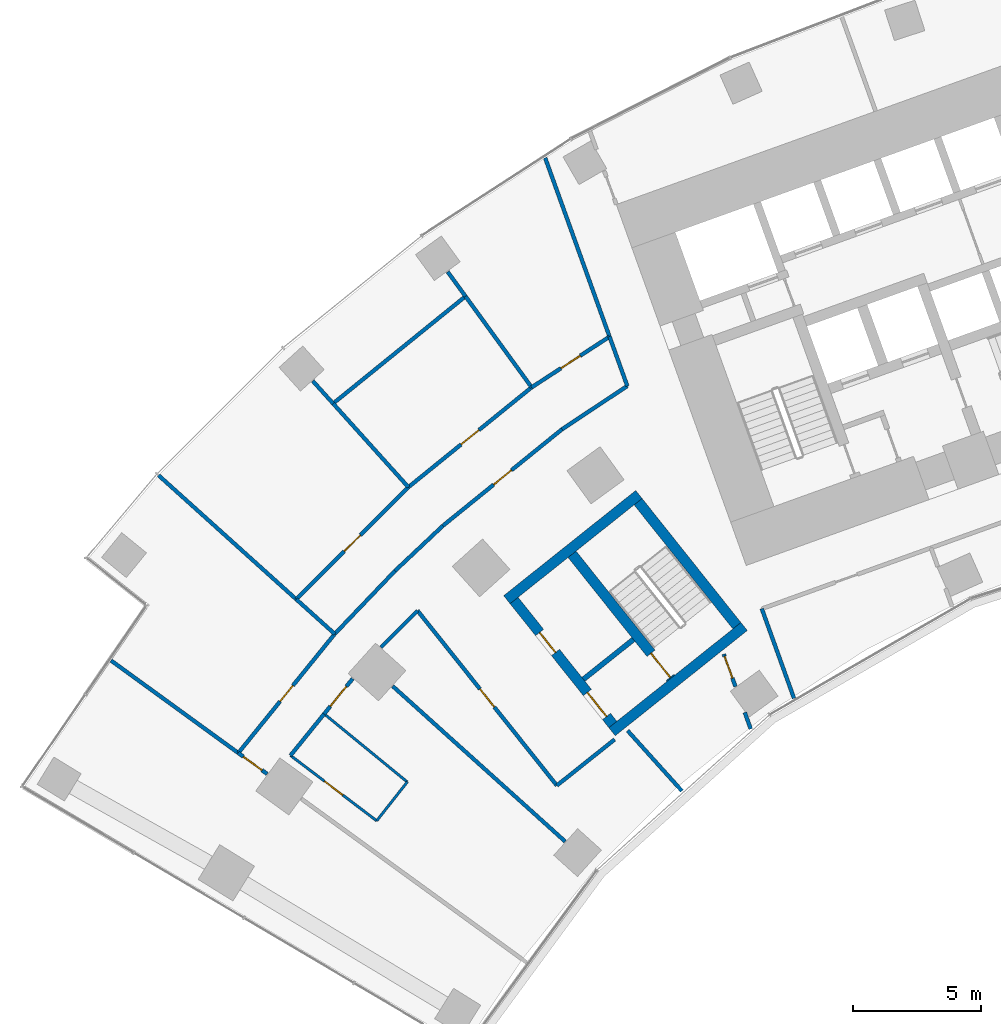
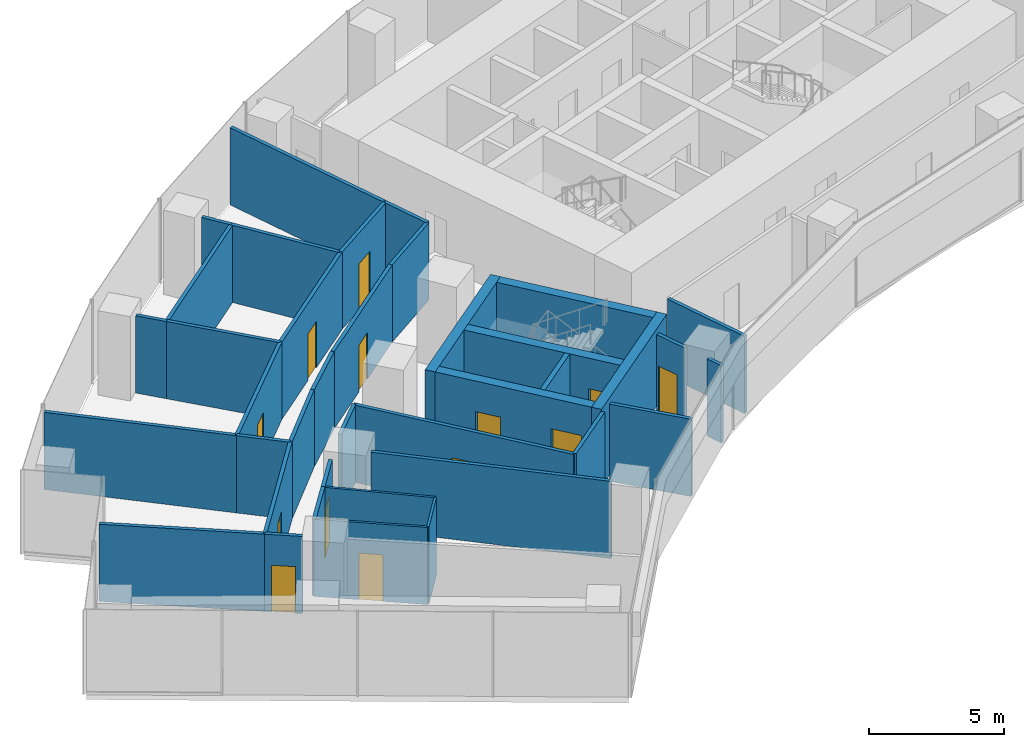
# One storey, part 14 of 21: 38 walls, 13 doors, 13 openings.
"""IFC4 building model written with IfcOpenShell, lengths in metres."""

from ifc_helpers import new_model, si_unit, direction, frame, frame_2d, origin, place, context, subcontext, project, spatial, rectangle, extrude, material, layer, layer_set, type_object, element, fill, save


model = new_model("IFC4")

# Units and contexts
model_context = context("Model", 3, precision=1e-05, world=origin(), true_north=direction((0.0, 1.0)))
body_context = subcontext(model_context, "Body", "Model", "MODEL_VIEW")
ifc_project = project(units=[si_unit("LENGTHUNIT", "METRE"), si_unit("AREAUNIT", "SQUARE_METRE"), si_unit("VOLUMEUNIT", "CUBIC_METRE"), si_unit("PLANEANGLEUNIT", "RADIAN"), si_unit("MASSUNIT", "GRAM", prefix="KILO")], contexts=[model_context])

# Site, building, storey
site_placement = place(None, origin())
site = spatial("IfcSite", under=ifc_project, at=site_placement, CompositionType="ELEMENT")
building_placement = place(site_placement, origin())
building = spatial("IfcBuilding", under=site, at=building_placement, Name="Stone Belt Terrace Tower", CompositionType="ELEMENT")
storey_placement = place(building_placement, frame((0.0, 0.0, 68.0)))
storey = spatial("IfcBuildingStorey", under=building, at=storey_placement, Name="L16", CompositionType="ELEMENT", Elevation=68.0)

# Wall, opening, door
ifc_material_1 = material(Name="Gypsum board partition")
ifc_layer_1 = layer(ifc_material_1, 0.10009765625)
ifc_layer_set_1 = layer_set([ifc_layer_1], Name="PARTITION 100")
wall_type_1 = type_object("IfcWallType", Name="PARTITION 100", PredefinedType="PARTITIONING", material=ifc_layer_set_1)
wall_1_placement = place(storey_placement, frame((-44.25390625, 33.5390625, 0.0), z_axis=(0.0, 0.0, 1.0), x_axis=(0.796975913628, -0.604011086899, 0.0)))
wall_1 = element("IfcWall", 1, at=wall_1_placement, inside=storey, type_object=wall_type_1, Name="L16/wall/i046", PredefinedType="PARTITIONING", context=body_context, shape_type="SweptSolid", body=[
    extrude(rectangle(XDim=4.228271484375, YDim=0.10009765625, at=frame_2d((2.1142578125, 0.0))), origin(), (0.0, 0.0, 1.0), 3.47998046875),
])
opening_1_placement = place(wall_1_placement, frame((1.664306640625, 0.0, 0.0)))
opening_1 = element("IfcOpeningElement", 2, at=opening_1_placement, cuts=wall_1, Name="Opening D-A5-13", PredefinedType="OPENING", context=body_context, shape_type="SweptSolid", body=[
    extrude(rectangle(XDim=0.89990234375, YDim=2.10009765625, at=frame_2d((0.449951171875, 1.050048828125))), frame((0.0, 0.06005859375, 0.0), z_axis=(0.0, -1.0, 0.0), x_axis=(1.0, 0.0, 0.0)), (0.0, 0.0, 1.0), 0.1201171875),
])
ifc_material_2 = material(Name="Timber door leaf", Category="wood")
door_type_1 = type_object("IfcDoorType", Name="OFFICE DOOR 900 X 2100", OperationType="NOTDEFINED", PredefinedType="DOOR", material=ifc_material_2)
door_1_placement = place(opening_1_placement, origin())
door_1 = element("IfcDoor", 3, at=door_1_placement, inside=storey, type_object=door_type_1, Name="L16/door/i13", OperationType="SINGLE_SWING_RIGHT", OverallHeight=2.10009765625, OverallWidth=0.89990234375, PredefinedType="DOOR", context=body_context, shape_type="SweptSolid", body=[
    extrude(rectangle(XDim=0.89990234375, YDim=2.10009765625, at=frame_2d((0.449951171875, 1.050048828125))), frame((0.0, 0.02490234375, 0.0), z_axis=(0.0, -1.0, 0.0), x_axis=(1.0, 0.0, 0.0)), (0.0, 0.0, 1.0), 0.050048828125),
])
fill(opening_1, door_1)

# Walls
wall_2_placement = place(storey_placement, frame((-40.884033203125, 30.985107421875, 0.0), z_axis=(0.0, 0.0, 1.0), x_axis=(0.618931278162, 0.785445143159, 0.0)))
element("IfcWall", 4, at=wall_2_placement, inside=storey, type_object=wall_type_1, Name="L16/wall/i047", PredefinedType="PARTITIONING", context=body_context, shape_type="SweptSolid", body=[
    extrude(rectangle(XDim=1.932373046875, YDim=0.10009765625, at=frame_2d((0.96630859375, 0.0))), origin(), (0.0, 0.0, 1.0), 3.47998046875),
])
wall_3_placement = place(storey_placement, frame((-39.68798828125, 32.5029296875, 0.0), z_axis=(0.0, 0.0, 1.0), x_axis=(-0.773605047101, 0.633668076441, 0.0)))
element("IfcWall", 5, at=wall_3_placement, inside=storey, type_object=wall_type_1, Name="L16/wall/i048", PredefinedType="PARTITIONING", context=body_context, shape_type="SweptSolid", body=[
    extrude(rectangle(XDim=4.201171875, YDim=0.10009765625, at=frame_2d((2.1005859375, 0.0))), origin(), (0.0, 0.0, 1.0), 3.47998046875),
])
ifc_layer_2 = layer(ifc_material_1, 0.14990234375)
ifc_layer_set_2 = layer_set([ifc_layer_2], Name="PARTITION 150 EI 60")
wall_type_2 = type_object("IfcWallType", Name="PARTITION 150 EI 60", PredefinedType="PARTITIONING", material=ifc_layer_set_2)
wall_4_placement = place(storey_placement, frame((-25.826904296875, 39.281005859375, 0.0), z_axis=(0.0, 0.0, 1.0), x_axis=(0.338392582605, -0.941005026574, 0.0)))
element("IfcWall", 6, at=wall_4_placement, inside=storey, type_object=wall_type_2, Name="L16/wall/i001", PredefinedType="PARTITIONING", context=body_context, shape_type="SweptSolid", body=[
    extrude(rectangle(XDim=3.729248046875, YDim=0.14990234375, at=frame_2d((1.86474609375, 0.0))), origin(), (0.0, 0.0, 1.0), 3.47998046875),
])
wall_5_placement = place(storey_placement, frame((-26.25732421875, 34.572021484375, 0.0), z_axis=(0.0, 0.0, 1.0), x_axis=(-0.338832657553, 0.940846656037, 0.0)))
element("IfcWall", 7, at=wall_5_placement, inside=storey, type_object=wall_type_2, Name="L16/wall/i004", PredefinedType="PARTITIONING", context=body_context, shape_type="SweptSolid", body=[
    extrude(rectangle(XDim=0.6875, YDim=0.14990234375, at=frame_2d((0.34375, 0.0))), origin(), (0.0, 0.0, 1.0), 3.47998046875),
])

# Wall, opening, door
wall_6_placement = place(storey_placement, frame((-26.85595703125, 36.234619140625, 0.0), z_axis=(0.0, 0.0, 1.0), x_axis=(-0.338828657155, 0.940848096714, 0.0)))
wall_6 = element("IfcWall", 8, at=wall_6_placement, inside=storey, type_object=wall_type_2, Name="L16/wall/i005", PredefinedType="PARTITIONING", context=body_context, shape_type="SweptSolid", body=[
    extrude(rectangle(XDim=1.345947265625, YDim=0.14990234375, at=frame_2d((0.6728515625, 0.0))), origin(), (0.0, 0.0, 1.0), 3.47998046875),
])
opening_2_placement = place(wall_6_placement, frame((0.3515625, 0.0, 0.0)))
opening_2 = element("IfcOpeningElement", 9, at=opening_2_placement, cuts=wall_6, Name="Opening D-A5-10", PredefinedType="OPENING", context=body_context, shape_type="SweptSolid", body=[
    extrude(rectangle(XDim=0.89990234375, YDim=2.10009765625, at=frame_2d((0.449951171875, 1.050048828125))), frame((0.0, 0.0849609375, 0.0), z_axis=(0.0, -1.0, 0.0), x_axis=(1.0, 0.0, 0.0)), (0.0, 0.0, 1.0), 0.169921875),
])
door_2_placement = place(opening_2_placement, origin())
door_2 = element("IfcDoor", 10, at=door_2_placement, inside=storey, type_object=door_type_1, Name="L16/door/i10", OperationType="SINGLE_SWING_RIGHT", OverallHeight=2.10009765625, OverallWidth=0.89990234375, PredefinedType="DOOR", context=body_context, shape_type="SweptSolid", body=[
    extrude(rectangle(XDim=0.89990234375, YDim=2.10009765625, at=frame_2d((0.449951171875, 1.050048828125))), frame((0.0, 0.02490234375, 0.0), z_axis=(0.0, -1.0, 0.0), x_axis=(1.0, 0.0, 0.0)), (0.0, 0.0, 1.0), 0.050048828125),
])
fill(opening_2, door_2)

# Walls
wall_7_placement = place(storey_placement, frame((-31.0830078125, 47.98193359375, 0.0), z_axis=(0.0, 0.0, 1.0), x_axis=(-0.338937449327, 0.940808910164, 0.0)))
element("IfcWall", 11, at=wall_7_placement, inside=storey, type_object=wall_type_2, Name="L16/wall/i006", PredefinedType="PARTITIONING", context=body_context, shape_type="SweptSolid", body=[
    extrude(rectangle(XDim=2.062255859375, YDim=0.14990234375, at=frame_2d((1.03125, 0.0))), origin(), (0.0, 0.0, 1.0), 3.47998046875),
])
wall_8_placement = place(storey_placement, frame((-31.778076171875, 49.909912109375, 0.0), z_axis=(0.0, 0.0, 1.0), x_axis=(-0.338711334353, 0.94089034004, 0.0)))
element("IfcWall", 12, at=wall_8_placement, inside=storey, type_object=wall_type_2, Name="L16/wall/i007", PredefinedType="PARTITIONING", context=body_context, shape_type="SweptSolid", body=[
    extrude(rectangle(XDim=7.43994140625, YDim=0.14990234375, at=frame_2d((3.719970703125, 0.0))), origin(), (0.0, 0.0, 1.0), 3.47998046875),
])

# Wall, opening, door
wall_9_placement = place(storey_placement, frame((-45.167236328125, 32.816162109375, 0.0), z_axis=(0.0, 0.0, 1.0), x_axis=(-0.809353623303, 0.587321643094, 0.0)))
wall_9 = element("IfcWall", 13, at=wall_9_placement, inside=storey, type_object=wall_type_2, Name="L16/wall/i031", PredefinedType="PARTITIONING", context=body_context, shape_type="SweptSolid", body=[
    extrude(rectangle(XDim=1.40087890625, YDim=0.14990234375, at=frame_2d((0.700439453125, 0.0))), origin(), (0.0, 0.0, 1.0), 3.47998046875),
])
opening_3_placement = place(wall_9_placement, frame((0.25048828125, 0.0, 0.0)))
opening_3 = element("IfcOpeningElement", 14, at=opening_3_placement, cuts=wall_9, Name="Opening D-A5-09", PredefinedType="OPENING", context=body_context, shape_type="SweptSolid", body=[
    extrude(rectangle(XDim=0.89990234375, YDim=2.10009765625, at=frame_2d((0.449951171875, 1.050048828125))), frame((0.0, 0.0849609375, 0.0), z_axis=(0.0, -1.0, 0.0), x_axis=(1.0, 0.0, 0.0)), (0.0, 0.0, 1.0), 0.169921875),
])
ifc_material_3 = material(Name="Timber fire door leaf", Category="wood")
door_type_2 = type_object("IfcDoorType", Name="TENANCY ENTRANCE DOOR 900 X 2100", OperationType="NOTDEFINED", PredefinedType="DOOR", material=ifc_material_3)
door_3_placement = place(opening_3_placement, origin())
door_3 = element("IfcDoor", 15, at=door_3_placement, inside=storey, type_object=door_type_2, Name="L16/door/i09", OperationType="SINGLE_SWING_RIGHT", OverallHeight=2.10009765625, OverallWidth=0.89990234375, PredefinedType="DOOR", context=body_context, shape_type="SweptSolid", body=[
    extrude(rectangle(XDim=0.89990234375, YDim=2.10009765625, at=frame_2d((0.449951171875, 1.050048828125))), frame((0.0, 0.02490234375, 0.0), z_axis=(0.0, -1.0, 0.0), x_axis=(1.0, 0.0, 0.0)), (0.0, 0.0, 1.0), 0.050048828125),
])
fill(opening_3, door_3)

# Walls
wall_10_placement = place(storey_placement, frame((-51.27294921875, 37.251708984375, 0.0), z_axis=(0.0, 0.0, 1.0), x_axis=(0.809013729568, -0.587789745887, 0.0)))
element("IfcWall", 16, at=wall_10_placement, inside=storey, type_object=wall_type_2, Name="L16/wall/i033", PredefinedType="PARTITIONING", context=body_context, shape_type="SweptSolid", body=[
    extrude(rectangle(XDim=6.157958984375, YDim=0.14990234375, at=frame_2d((3.0791015625, 0.0))), origin(), (0.0, 0.0, 1.0), 3.47998046875),
])
wall_11_placement = place(storey_placement, frame((-40.1640625, 40.761962890625, 0.0), z_axis=(0.0, 0.0, 1.0), x_axis=(0.727996599904, 0.685580739613, 0.0)))
element("IfcWall", 17, at=wall_11_placement, inside=storey, type_object=wall_type_2, Name="L16/wall/i034", PredefinedType="PARTITIONING", context=body_context, shape_type="SweptSolid", body=[
    extrude(rectangle(XDim=2.572998046875, YDim=0.14990234375, at=frame_2d((1.28662109375, 0.0))), origin(), (0.0, 0.0, 1.0), 3.47998046875),
])

# Wall, opening, door
wall_12_placement = place(storey_placement, frame((-38.2900390625, 42.527099609375, 0.0), z_axis=(0.0, 0.0, 1.0), x_axis=(0.77714422733, 0.629322532513, 0.0)))
wall_12 = element("IfcWall", 18, at=wall_12_placement, inside=storey, type_object=wall_type_2, Name="L16/wall/i035", PredefinedType="PARTITIONING", context=body_context, shape_type="SweptSolid", body=[
    extrude(rectangle(XDim=5.98876953125, YDim=0.14990234375, at=frame_2d((2.994384765625, 0.0))), origin(), (0.0, 0.0, 1.0), 3.47998046875),
])
opening_4_placement = place(wall_12_placement, frame((2.54443359375, 0.0, 0.0)))
opening_4 = element("IfcOpeningElement", 19, at=opening_4_placement, cuts=wall_12, Name="Opening D-A5-14", PredefinedType="OPENING", context=body_context, shape_type="SweptSolid", body=[
    extrude(rectangle(XDim=0.89990234375, YDim=2.10009765625, at=frame_2d((0.449951171875, 1.050048828125))), frame((0.0, 0.0849609375, 0.0), z_axis=(0.0, -1.0, 0.0), x_axis=(1.0, 0.0, 0.0)), (0.0, 0.0, 1.0), 0.169921875),
])
door_4_placement = place(opening_4_placement, origin())
door_4 = element("IfcDoor", 20, at=door_4_placement, inside=storey, type_object=door_type_1, Name="L16/door/i14", OperationType="SINGLE_SWING_RIGHT", OverallHeight=2.10009765625, OverallWidth=0.89990234375, PredefinedType="DOOR", context=body_context, shape_type="SweptSolid", body=[
    extrude(rectangle(XDim=0.89990234375, YDim=2.10009765625, at=frame_2d((0.449951171875, 1.050048828125))), frame((0.0, 0.02490234375, 0.0), z_axis=(0.0, -1.0, 0.0), x_axis=(1.0, 0.0, 0.0)), (0.0, 0.0, 1.0), 0.050048828125),
])
fill(opening_4, door_4)

# Walls
wall_13_placement = place(storey_placement, frame((-33.635986328125, 46.2958984375, 0.0), z_axis=(0.0, 0.0, 1.0), x_axis=(0.833385857539, 0.552691607005, 0.0)))
element("IfcWall", 21, at=wall_13_placement, inside=storey, type_object=wall_type_2, Name="L16/wall/i036", PredefinedType="PARTITIONING", context=body_context, shape_type="SweptSolid", body=[
    extrude(rectangle(XDim=3.059814453125, YDim=0.14990234375, at=frame_2d((1.52978515625, 0.0))), origin(), (0.0, 0.0, 1.0), 3.47998046875),
])
wall_14_placement = place(storey_placement, frame((-39.285888671875, 39.200927734375, 0.0), z_axis=(0.0, 0.0, 1.0), x_axis=(-0.707106781187, -0.707106781187, 0.0)))
element("IfcWall", 22, at=wall_14_placement, inside=storey, type_object=wall_type_2, Name="L16/wall/i037", PredefinedType="PARTITIONING", context=body_context, shape_type="SweptSolid", body=[
    extrude(rectangle(XDim=2.017333984375, YDim=0.14990234375, at=frame_2d((1.0087890625, 0.0))), origin(), (0.0, 0.0, 1.0), 3.47998046875),
])

# Wall, opening, door
wall_15_placement = place(storey_placement, frame((-41.82373046875, 36.541259765625, 0.0), z_axis=(0.0, 0.0, 1.0), x_axis=(-0.629174517186, -0.777264065118, 0.0)))
wall_15 = element("IfcWall", 23, at=wall_15_placement, inside=storey, type_object=wall_type_2, Name="L16/wall/i038", PredefinedType="PARTITIONING", context=body_context, shape_type="SweptSolid", body=[
    extrude(rectangle(XDim=1.777099609375, YDim=0.14990234375, at=frame_2d((0.888671875, 0.0))), origin(), (0.0, 0.0, 1.0), 3.47998046875),
])
opening_5_placement = place(wall_15_placement, frame((0.388671875, 0.0, 0.0)))
opening_5 = element("IfcOpeningElement", 24, at=opening_5_placement, cuts=wall_15, Name="Opening D-A5-12", PredefinedType="OPENING", context=body_context, shape_type="SweptSolid", body=[
    extrude(rectangle(XDim=1.0, YDim=2.10009765625, at=frame_2d((0.5, 1.050048828125))), frame((0.0, 0.0849609375, 0.0), z_axis=(0.0, -1.0, 0.0), x_axis=(1.0, 0.0, 0.0)), (0.0, 0.0, 1.0), 0.169921875),
])
door_type_3 = type_object("IfcDoorType", Name="TENANCY ENTRANCE DOOR 1000 X 2100", OperationType="NOTDEFINED", PredefinedType="DOOR", material=ifc_material_3)
door_5_placement = place(opening_5_placement, origin())
door_5 = element("IfcDoor", 25, at=door_5_placement, inside=storey, type_object=door_type_3, Name="L16/door/i12", OperationType="SINGLE_SWING_RIGHT", OverallHeight=2.10009765625, OverallWidth=1.0, PredefinedType="DOOR", context=body_context, shape_type="SweptSolid", body=[
    extrude(rectangle(XDim=1.0, YDim=2.10009765625, at=frame_2d((0.5, 1.050048828125))), frame((0.0, 0.02490234375, 0.0), z_axis=(0.0, -1.0, 0.0), x_axis=(1.0, 0.0, 0.0)), (0.0, 0.0, 1.0), 0.050048828125),
])
fill(opening_5, door_5)

# Walls
wall_16_placement = place(storey_placement, frame((-42.93408203125, 35.169921875, 0.0), z_axis=(0.0, 0.0, 1.0), x_axis=(-0.629311723451, -0.77715298026, 0.0)))
element("IfcWall", 26, at=wall_16_placement, inside=storey, type_object=wall_type_2, Name="L16/wall/i039", PredefinedType="PARTITIONING", context=body_context, shape_type="SweptSolid", body=[
    extrude(rectangle(XDim=2.103759765625, YDim=0.14990234375, at=frame_2d((1.0517578125, 0.0))), origin(), (0.0, 0.0, 1.0), 3.47998046875),
])
wall_17_placement = place(storey_placement, frame((-42.52587890625, 38.291015625, 0.0), z_axis=(0.0, 0.0, 1.0), x_axis=(0.690963131402, 0.722889999269, 0.0)))
element("IfcWall", 27, at=wall_17_placement, inside=storey, type_object=wall_type_2, Name="L16/wall/i040", PredefinedType="PARTITIONING", context=body_context, shape_type="SweptSolid", body=[
    extrude(rectangle(XDim=3.418212890625, YDim=0.14990234375, at=frame_2d((1.708984375, 0.0))), origin(), (0.0, 0.0, 1.0), 3.47998046875),
])

# Wall, opening, door
wall_18_placement = place(storey_placement, frame((-46.2958984375, 33.635986328125, 0.0), z_axis=(0.0, 0.0, 1.0), x_axis=(0.629322532513, 0.77714422733, 0.0)))
wall_18 = element("IfcWall", 28, at=wall_18_placement, inside=storey, type_object=wall_type_2, Name="L16/wall/i041", PredefinedType="PARTITIONING", context=body_context, shape_type="SweptSolid", body=[
    extrude(rectangle(XDim=5.98876953125, YDim=0.14990234375, at=frame_2d((2.994384765625, 0.0))), origin(), (0.0, 0.0, 1.0), 3.47998046875),
])
opening_6_placement = place(wall_18_placement, frame((2.594482421875, 0.0, 0.0)))
opening_6 = element("IfcOpeningElement", 29, at=opening_6_placement, cuts=wall_18, Name="Opening D-A5-18", PredefinedType="OPENING", context=body_context, shape_type="SweptSolid", body=[
    extrude(rectangle(XDim=0.800048828125, YDim=2.10009765625, at=frame_2d((0.39990234375, 1.050048828125))), frame((0.0, 0.0849609375, 0.0), z_axis=(0.0, -1.0, 0.0), x_axis=(1.0, 0.0, 0.0)), (0.0, 0.0, 1.0), 0.169921875),
])
door_type_4 = type_object("IfcDoorType", Name="STORE DOOR 800 X 2100", OperationType="NOTDEFINED", PredefinedType="DOOR", material=ifc_material_2)
door_6_placement = place(opening_6_placement, origin())
door_6 = element("IfcDoor", 30, at=door_6_placement, inside=storey, type_object=door_type_4, Name="L16/door/i18", OperationType="SINGLE_SWING_LEFT", OverallHeight=2.10009765625, OverallWidth=0.800048828125, PredefinedType="DOOR", context=body_context, shape_type="SweptSolid", body=[
    extrude(rectangle(XDim=0.800048828125, YDim=2.10009765625, at=frame_2d((0.39990234375, 1.050048828125))), frame((0.0, 0.02490234375, 0.0), z_axis=(0.0, -1.0, 0.0), x_axis=(1.0, 0.0, 0.0)), (0.0, 0.0, 1.0), 0.050048828125),
])
fill(opening_6, door_6)

# Wall
wall_19_placement = place(storey_placement, frame((-31.5810546875, 34.1650390625, 0.0), z_axis=(0.0, 0.0, 1.0), x_axis=(-0.782079504581, -0.623178665003, 0.0)))
element("IfcWall", 31, at=wall_19_placement, inside=storey, type_object=wall_type_2, Name="L16/wall/i042", PredefinedType="PARTITIONING", context=body_context, shape_type="SweptSolid", body=[
    extrude(rectangle(XDim=2.888427734375, YDim=0.14990234375, at=frame_2d((1.4443359375, 0.0))), origin(), (0.0, 0.0, 1.0), 3.47998046875),
])

# Wall, opening, door
wall_20_placement = place(storey_placement, frame((-33.840087890625, 32.364990234375, 0.0), z_axis=(0.0, 0.0, 1.0), x_axis=(-0.623151683061, 0.782101003643, 0.0)))
wall_20 = element("IfcWall", 32, at=wall_20_placement, inside=storey, type_object=wall_type_2, Name="L16/wall/i043", PredefinedType="PARTITIONING", context=body_context, shape_type="SweptSolid", body=[
    extrude(rectangle(XDim=8.745849609375, YDim=0.14990234375, at=frame_2d((4.373046875, 0.0))), origin(), (0.0, 0.0, 1.0), 3.47998046875),
])
opening_7_placement = place(wall_20_placement, frame((3.9228515625, 0.0, 0.0)))
opening_7 = element("IfcOpeningElement", 33, at=opening_7_placement, cuts=wall_20, Name="Opening D-A5-11", PredefinedType="OPENING", context=body_context, shape_type="SweptSolid", body=[
    extrude(rectangle(XDim=0.89990234375, YDim=2.10009765625, at=frame_2d((0.449951171875, 1.050048828125))), frame((0.0, 0.0849609375, 0.0), z_axis=(0.0, -1.0, 0.0), x_axis=(1.0, 0.0, 0.0)), (0.0, 0.0, 1.0), 0.169921875),
])
door_7_placement = place(opening_7_placement, origin())
door_7 = element("IfcDoor", 34, at=door_7_placement, inside=storey, type_object=door_type_1, Name="L16/door/i11", OperationType="SINGLE_SWING_RIGHT", OverallHeight=2.10009765625, OverallWidth=0.89990234375, PredefinedType="DOOR", context=body_context, shape_type="SweptSolid", body=[
    extrude(rectangle(XDim=0.89990234375, YDim=2.10009765625, at=frame_2d((0.449951171875, 1.050048828125))), frame((0.0, 0.02490234375, 0.0), z_axis=(0.0, -1.0, 0.0), x_axis=(1.0, 0.0, 0.0)), (0.0, 0.0, 1.0), 0.050048828125),
])
fill(opening_7, door_7)

# Walls
wall_21_placement = place(storey_placement, frame((-28.94775390625, 32.149658203125, 0.0), z_axis=(0.0, 0.0, 1.0), x_axis=(-0.669245279782, 0.74304155704, 0.0)))
element("IfcWall", 35, at=wall_21_placement, inside=storey, type_object=wall_type_2, Name="L16/wall/i044", PredefinedType="PARTITIONING", context=body_context, shape_type="SweptSolid", body=[
    extrude(rectangle(XDim=3.172607421875, YDim=0.14990234375, at=frame_2d((1.58642578125, 0.0))), origin(), (0.0, 0.0, 1.0), 3.47998046875),
])
wall_22_placement = place(storey_placement, frame((-33.515869140625, 30.177734375, 0.0), z_axis=(0.0, 0.0, 1.0), x_axis=(-0.743122805234, 0.669155061508, 0.0)))
element("IfcWall", 36, at=wall_22_placement, inside=storey, type_object=wall_type_2, Name="L16/wall/i045", PredefinedType="PARTITIONING", context=body_context, shape_type="SweptSolid", body=[
    extrude(rectangle(XDim=9.070068359375, YDim=0.14990234375, at=frame_2d((4.53515625, 0.0))), origin(), (0.0, 0.0, 1.0), 3.47998046875),
])

# Wall, opening, door
wall_23_placement = place(storey_placement, frame((-44.030029296875, 39.64599609375, 0.0), z_axis=(0.0, 0.0, 1.0), x_axis=(0.707106781187, 0.707106781187, 0.0)))
wall_23 = element("IfcWall", 37, at=wall_23_placement, inside=storey, type_object=wall_type_2, Name="L16/wall/i049", PredefinedType="PARTITIONING", context=body_context, shape_type="SweptSolid", body=[
    extrude(rectangle(XDim=6.201416015625, YDim=0.14990234375, at=frame_2d((3.1005859375, 0.0))), origin(), (0.0, 0.0, 1.0), 3.47998046875),
])
opening_8_placement = place(wall_23_placement, frame((2.650634765625, 0.0, 0.0)))
opening_8 = element("IfcOpeningElement", 38, at=opening_8_placement, cuts=wall_23, Name="Opening D-A5-15", PredefinedType="OPENING", context=body_context, shape_type="SweptSolid", body=[
    extrude(rectangle(XDim=0.89990234375, YDim=2.10009765625, at=frame_2d((0.449951171875, 1.050048828125))), frame((0.0, 0.0849609375, 0.0), z_axis=(0.0, -1.0, 0.0), x_axis=(1.0, 0.0, 0.0)), (0.0, 0.0, 1.0), 0.169921875),
])
door_8_placement = place(opening_8_placement, origin())
door_8 = element("IfcDoor", 39, at=door_8_placement, inside=storey, type_object=door_type_1, Name="L16/door/i15", OperationType="SINGLE_SWING_RIGHT", OverallHeight=2.10009765625, OverallWidth=0.89990234375, PredefinedType="DOOR", context=body_context, shape_type="SweptSolid", body=[
    extrude(rectangle(XDim=0.89990234375, YDim=2.10009765625, at=frame_2d((0.449951171875, 1.050048828125))), frame((0.0, 0.02490234375, 0.0), z_axis=(0.0, -1.0, 0.0), x_axis=(1.0, 0.0, 0.0)), (0.0, 0.0, 1.0), 0.050048828125),
])
fill(opening_8, door_8)

wall_24_placement = place(storey_placement, frame((-39.64501953125, 44.031005859375, 0.0), z_axis=(0.0, 0.0, 1.0), x_axis=(0.777094493267, 0.629383943658, 0.0)))
wall_24 = element("IfcWall", 40, at=wall_24_placement, inside=storey, type_object=wall_type_2, Name="L16/wall/i050", PredefinedType="PARTITIONING", context=body_context, shape_type="SweptSolid", body=[
    extrude(rectangle(XDim=6.201416015625, YDim=0.14990234375, at=frame_2d((3.1005859375, 0.0))), origin(), (0.0, 0.0, 1.0), 3.47998046875),
])
opening_9_placement = place(wall_24_placement, frame((2.650634765625, 0.0, 0.0)))
opening_9 = element("IfcOpeningElement", 41, at=opening_9_placement, cuts=wall_24, Name="Opening D-A5-16", PredefinedType="OPENING", context=body_context, shape_type="SweptSolid", body=[
    extrude(rectangle(XDim=0.89990234375, YDim=2.10009765625, at=frame_2d((0.449951171875, 1.050048828125))), frame((0.0, 0.0849609375, 0.0), z_axis=(0.0, -1.0, 0.0), x_axis=(1.0, 0.0, 0.0)), (0.0, 0.0, 1.0), 0.169921875),
])
door_9_placement = place(opening_9_placement, origin())
door_9 = element("IfcDoor", 42, at=door_9_placement, inside=storey, type_object=door_type_1, Name="L16/door/i16", OperationType="SINGLE_SWING_RIGHT", OverallHeight=2.10009765625, OverallWidth=0.89990234375, PredefinedType="DOOR", context=body_context, shape_type="SweptSolid", body=[
    extrude(rectangle(XDim=0.89990234375, YDim=2.10009765625, at=frame_2d((0.449951171875, 1.050048828125))), frame((0.0, 0.02490234375, 0.0), z_axis=(0.0, -1.0, 0.0), x_axis=(1.0, 0.0, 0.0)), (0.0, 0.0, 1.0), 0.050048828125),
])
fill(opening_9, door_9)

wall_25_placement = place(storey_placement, frame((-34.825927734375, 47.93408203125, 0.0), z_axis=(0.0, 0.0, 1.0), x_axis=(0.838179507416, 0.545394456653, 0.0)))
wall_25 = element("IfcWall", 43, at=wall_25_placement, inside=storey, type_object=wall_type_2, Name="L16/wall/i051", PredefinedType="PARTITIONING", context=body_context, shape_type="SweptSolid", body=[
    extrude(rectangle(XDim=3.634033203125, YDim=0.14990234375, at=frame_2d((1.81689453125, 0.0))), origin(), (0.0, 0.0, 1.0), 3.47998046875),
])
opening_10_placement = place(wall_25_placement, frame((1.366943359375, 0.0, 0.0)))
opening_10 = element("IfcOpeningElement", 44, at=opening_10_placement, cuts=wall_25, Name="Opening D-A5-17", PredefinedType="OPENING", context=body_context, shape_type="SweptSolid", body=[
    extrude(rectangle(XDim=0.89990234375, YDim=2.10009765625, at=frame_2d((0.449951171875, 1.050048828125))), frame((0.0, 0.0849609375, 0.0), z_axis=(0.0, -1.0, 0.0), x_axis=(1.0, 0.0, 0.0)), (0.0, 0.0, 1.0), 0.169921875),
])
door_10_placement = place(opening_10_placement, origin())
door_10 = element("IfcDoor", 45, at=door_10_placement, inside=storey, type_object=door_type_1, Name="L16/door/i17", OperationType="SINGLE_SWING_RIGHT", OverallHeight=2.10009765625, OverallWidth=0.89990234375, PredefinedType="DOOR", context=body_context, shape_type="SweptSolid", body=[
    extrude(rectangle(XDim=0.89990234375, YDim=2.10009765625, at=frame_2d((0.449951171875, 1.050048828125))), frame((0.0, 0.02490234375, 0.0), z_axis=(0.0, -1.0, 0.0), x_axis=(1.0, 0.0, 0.0)), (0.0, 0.0, 1.0), 0.050048828125),
])
fill(opening_10, door_10)

# Walls
wall_26_placement = place(storey_placement, frame((-42.52587890625, 38.291015625, 0.0), z_axis=(0.0, 0.0, 1.0), x_axis=(-0.742988249307, 0.669304460908, 0.0)))
element("IfcWall", 46, at=wall_26_placement, inside=storey, type_object=wall_type_2, Name="L16/wall/i052", PredefinedType="PARTITIONING", context=body_context, shape_type="SweptSolid", body=[
    extrude(rectangle(XDim=2.0244140625, YDim=0.14990234375, at=frame_2d((1.01220703125, 0.0))), origin(), (0.0, 0.0, 1.0), 3.47998046875),
])
wall_27_placement = place(storey_placement, frame((-42.593017578125, 47.304931640625, 0.0), z_axis=(0.0, 0.0, 1.0), x_axis=(0.669148410698, -0.743128793992, 0.0)))
element("IfcWall", 47, at=wall_27_placement, inside=storey, type_object=wall_type_2, Name="L16/wall/i053", PredefinedType="PARTITIONING", context=body_context, shape_type="SweptSolid", body=[
    extrude(rectangle(XDim=4.405517578125, YDim=0.14990234375, at=frame_2d((2.20263671875, 0.0))), origin(), (0.0, 0.0, 1.0), 3.47998046875),
])
wall_28_placement = place(storey_placement, frame((-43.382080078125, 48.18115234375, 0.0), z_axis=(0.0, 0.0, 1.0), x_axis=(0.669145878726, -0.743131073892, 0.0)))
element("IfcWall", 48, at=wall_28_placement, inside=storey, type_object=wall_type_2, Name="L16/wall/i054", PredefinedType="PARTITIONING", context=body_context, shape_type="SweptSolid", body=[
    extrude(rectangle(XDim=1.191162109375, YDim=0.14990234375, at=frame_2d((0.595703125, 0.0))), origin(), (0.0, 0.0, 1.0), 3.47998046875),
])
wall_29_placement = place(storey_placement, frame((-44.030029296875, 39.64599609375, 0.0), z_axis=(0.0, 0.0, 1.0), x_axis=(-0.74319367285, 0.669076351874, 0.0)))
element("IfcWall", 49, at=wall_29_placement, inside=storey, type_object=wall_type_2, Name="L16/wall/i055", PredefinedType="PARTITIONING", context=body_context, shape_type="SweptSolid", body=[
    extrude(rectangle(XDim=7.25, YDim=0.14990234375, at=frame_2d((3.625, 0.0))), origin(), (0.0, 0.0, 1.0), 3.47998046875),
])
wall_30_placement = place(storey_placement, frame((-42.589111328125, 47.301025390625, 0.0), z_axis=(0.0, 0.0, 1.0), x_axis=(0.777172317777, 0.629287842312, 0.0)))
element("IfcWall", 50, at=wall_30_placement, inside=storey, type_object=wall_type_2, Name="L16/wall/i056", PredefinedType="PARTITIONING", context=body_context, shape_type="SweptSolid", body=[
    extrude(rectangle(XDim=6.661376953125, YDim=0.14990234375, at=frame_2d((3.33056640625, 0.0))), origin(), (0.0, 0.0, 1.0), 3.47998046875),
])
wall_31_placement = place(storey_placement, frame((-37.412109375, 51.492919921875, 0.0), z_axis=(0.0, 0.0, 1.0), x_axis=(0.58786477972, -0.808959208344, 0.0)))
element("IfcWall", 51, at=wall_31_placement, inside=storey, type_object=wall_type_2, Name="L16/wall/i057", PredefinedType="PARTITIONING", context=body_context, shape_type="SweptSolid", body=[
    extrude(rectangle(XDim=4.399169921875, YDim=0.14990234375, at=frame_2d((2.19970703125, 0.0))), origin(), (0.0, 0.0, 1.0), 3.47998046875),
])
wall_32_placement = place(storey_placement, frame((-38.1083984375, 52.45166015625, 0.0), z_axis=(0.0, 0.0, 1.0), x_axis=(0.587632515929, -0.809127941813, 0.0)))
element("IfcWall", 52, at=wall_32_placement, inside=storey, type_object=wall_type_2, Name="L16/wall/i058", PredefinedType="PARTITIONING", context=body_context, shape_type="SweptSolid", body=[
    extrude(rectangle(XDim=1.184814453125, YDim=0.14990234375, at=frame_2d((0.59228515625, 0.0))), origin(), (0.0, 0.0, 1.0), 3.47998046875),
])
ifc_material_4 = material(Name="Concrete masonry block", Category="masonry")
ifc_layer_3 = layer(ifc_material_4, 0.199951171875)
ifc_layer_set_3 = layer_set([ifc_layer_3], Name="Rated lobby wall 200")
wall_type_3 = type_object("IfcWallType", Name="Rated lobby wall 200", PredefinedType="PARTITIONING", material=ifc_layer_set_3)
wall_33_placement = place(storey_placement, frame((-30.845703125, 38.074951171875, 0.0), z_axis=(0.0, 0.0, 1.0), x_axis=(-0.782115323833, -0.623133709749, 0.0)))
element("IfcWall", 53, at=wall_33_placement, inside=storey, type_object=wall_type_3, Name="Exit stair ST3A wall", PredefinedType="PARTITIONING", context=body_context, shape_type="SweptSolid", body=[
    extrude(rectangle(XDim=2.5, YDim=0.199951171875, at=frame_2d((1.25, 0.0))), origin(), (0.0, 0.0, 1.0), 3.47998046875),
])
ifc_material_5 = material(Name="Concrete B80", Category="concrete")
ifc_layer_4 = layer(ifc_material_5, 0.39990234375)
ifc_layer_set_4 = layer_set([ifc_layer_4], Name="Stair enclosure wall 400")
wall_type_4 = type_object("IfcWallType", Name="Stair enclosure wall 400", PredefinedType="SHEAR", material=ifc_layer_set_4)
for number, where, z_axis, x_axis, name in (
    (54, (-26.518798828125, 38.58154296875, 0.0), (0.0, 0.0, 1.0), (-0.782133914161, -0.623110375711, 0.0), "Exit stair ST3A wall"),
    (55, (-30.63134765625, 43.74365234375, 0.0), (0.0, 0.0, 1.0), (-0.782133914161, -0.623110375711, 0.0), "Exit stair ST3A wall"),
):
    element("IfcWall", number, at=place(storey_placement, frame(where, z_axis=z_axis, x_axis=x_axis)), inside=storey, type_object=wall_type_4, Name=name, PredefinedType="SHEAR", context=body_context, shape_type="SweptSolid", body=[
        extrude(rectangle(XDim=6.60009765625, YDim=0.39990234375, at=frame_2d((3.300048828125, 0.0))), origin(), (0.0, 0.0, 1.0), 3.47998046875),
    ])
wall_34_placement = place(storey_placement, frame((-26.7998046875, 38.61328125, 0.0), z_axis=(0.0, 0.0, 1.0), x_axis=(-0.623118653668, 0.782127319208, 0.0)))
element("IfcWall", 56, at=wall_34_placement, inside=storey, type_object=wall_type_4, Name="Exit stair ST3A wall", PredefinedType="SHEAR", context=body_context, shape_type="SweptSolid", body=[
    extrude(rectangle(XDim=6.199951171875, YDim=0.39990234375, at=frame_2d((3.10009765625, 0.0))), origin(), (0.0, 0.0, 1.0), 3.47998046875),
])

# Wall, openings, doors
wall_35_placement = place(storey_placement, frame((-31.64892578125, 34.75, 0.0), z_axis=(0.0, 0.0, 1.0), x_axis=(-0.623118653668, 0.782127319208, 0.0)))
wall_35 = element("IfcWall", 57, at=wall_35_placement, inside=storey, type_object=wall_type_4, Name="Exit stair ST3A wall", PredefinedType="SHEAR", context=body_context, shape_type="SweptSolid", body=[
    extrude(rectangle(XDim=6.199951171875, YDim=0.39990234375, at=frame_2d((3.10009765625, 0.0))), origin(), (0.0, 0.0, 1.0), 3.47998046875),
])
opening_11_placement = place(wall_35_placement, frame((0.39990234375, 0.0, 0.0)))
opening_11 = element("IfcOpeningElement", 58, at=opening_11_placement, cuts=wall_35, Name="Opening L16-C24", PredefinedType="OPENING", context=body_context, shape_type="SweptSolid", body=[
    extrude(rectangle(XDim=1.199951171875, YDim=2.10009765625, at=frame_2d((0.60009765625, 1.050048828125))), frame((0.0, 0.2099609375, 0.0), z_axis=(0.0, -1.0, 0.0), x_axis=(1.0, 0.0, 0.0)), (0.0, 0.0, 1.0), 0.419921875),
])
opening_12_placement = place(wall_35_placement, frame((3.60009765625, 0.0, 0.0)))
opening_12 = element("IfcOpeningElement", 59, at=opening_12_placement, cuts=wall_35, Name="Opening L16-C25", PredefinedType="OPENING", context=body_context, shape_type="SweptSolid", body=[
    extrude(rectangle(XDim=1.0, YDim=2.10009765625, at=frame_2d((0.5, 1.050048828125))), frame((0.0, 0.2099609375, 0.0), z_axis=(0.0, -1.0, 0.0), x_axis=(1.0, 0.0, 0.0)), (0.0, 0.0, 1.0), 0.419921875),
])
door_type_5 = type_object("IfcDoorType", Name="Core room door 1000", OperationType="SINGLE_SWING_LEFT", PredefinedType="DOOR", material=ifc_material_2)
door_11_placement = place(opening_12_placement, origin())
door_11 = element("IfcDoor", 60, at=door_11_placement, inside=storey, type_object=door_type_5, Name="Door to stair pressurisation plant room ST3A", OperationType="SINGLE_SWING_LEFT", OverallHeight=2.10009765625, OverallWidth=1.0, PredefinedType="DOOR", context=body_context, shape_type="SweptSolid", body=[
    extrude(rectangle(XDim=1.0, YDim=2.10009765625, at=frame_2d((0.5, 1.050048828125))), frame((0.0, 0.02490234375, 0.0), z_axis=(0.0, -1.0, 0.0), x_axis=(1.0, 0.0, 0.0)), (0.0, 0.0, 1.0), 0.050048828125),
])
fill(opening_12, door_11)
ifc_material_6 = material(Name="Steel door leaf", Category="steel")
door_type_6 = type_object("IfcDoorType", Name="Stair airlock door 1200", OperationType="SINGLE_SWING_LEFT", PredefinedType="DOOR", material=ifc_material_6)
door_12_placement = place(opening_11_placement, origin())
door_12 = element("IfcDoor", 61, at=door_12_placement, inside=storey, type_object=door_type_6, Name="Stair airlock door ST3A", OperationType="SINGLE_SWING_LEFT", OverallHeight=2.10009765625, OverallWidth=1.199951171875, PredefinedType="DOOR", context=body_context, shape_type="SweptSolid", body=[
    extrude(rectangle(XDim=1.199951171875, YDim=2.10009765625, at=frame_2d((0.60009765625, 1.050048828125))), frame((0.0, 0.02490234375, 0.0), z_axis=(0.0, -1.0, 0.0), x_axis=(1.0, 0.0, 0.0)), (0.0, 0.0, 1.0), 0.050048828125),
])
fill(opening_11, door_12)

# Wall, opening, door
wall_36_placement = place(storey_placement, frame((-29.380859375, 36.556884765625, 0.0), z_axis=(0.0, 0.0, 1.0), x_axis=(-0.623099462847, 0.782142608097, 0.0)))
wall_36 = element("IfcWall", 62, at=wall_36_placement, inside=storey, type_object=wall_type_4, Name="Exit stair ST3A wall", PredefinedType="SHEAR", context=body_context, shape_type="SweptSolid", body=[
    extrude(rectangle(XDim=6.2001953125, YDim=0.39990234375, at=frame_2d((3.10009765625, 0.0))), origin(), (0.0, 0.0, 1.0), 3.47998046875),
])
opening_13_placement = place(wall_36_placement, frame((0.050048828125, 0.0, 0.0)))
opening_13 = element("IfcOpeningElement", 63, at=opening_13_placement, cuts=wall_36, Name="Opening L16-C23", PredefinedType="OPENING", context=body_context, shape_type="SweptSolid", body=[
    extrude(rectangle(XDim=1.199951171875, YDim=2.10009765625, at=frame_2d((0.60009765625, 1.050048828125))), frame((0.0, 0.2099609375, 0.0), z_axis=(0.0, -1.0, 0.0), x_axis=(1.0, 0.0, 0.0)), (0.0, 0.0, 1.0), 0.419921875),
])
door_type_7 = type_object("IfcDoorType", Name="Stair door 1200", OperationType="SINGLE_SWING_LEFT", PredefinedType="DOOR", material=ifc_material_6)
door_13_placement = place(opening_13_placement, origin())
door_13 = element("IfcDoor", 64, at=door_13_placement, inside=storey, type_object=door_type_7, Name="Stair door ST3A", OperationType="SINGLE_SWING_RIGHT", OverallHeight=2.10009765625, OverallWidth=1.199951171875, PredefinedType="DOOR", context=body_context, shape_type="SweptSolid", body=[
    extrude(rectangle(XDim=1.199951171875, YDim=2.10009765625, at=frame_2d((0.60009765625, 1.050048828125))), frame((0.0, 0.02490234375, 0.0), z_axis=(0.0, -1.0, 0.0), x_axis=(1.0, 0.0, 0.0)), (0.0, 0.0, 1.0), 0.050048828125),
])
fill(opening_13, door_13)

save(model, "model.ifc")
